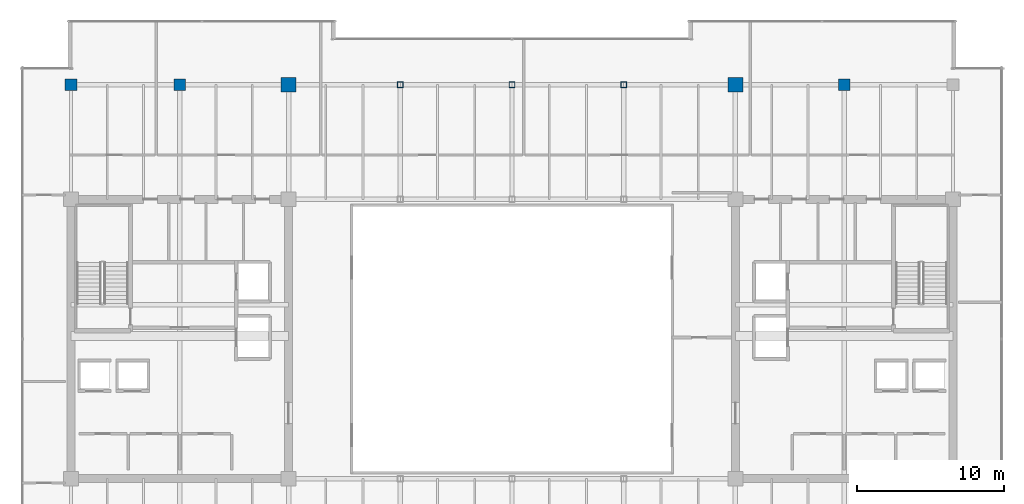
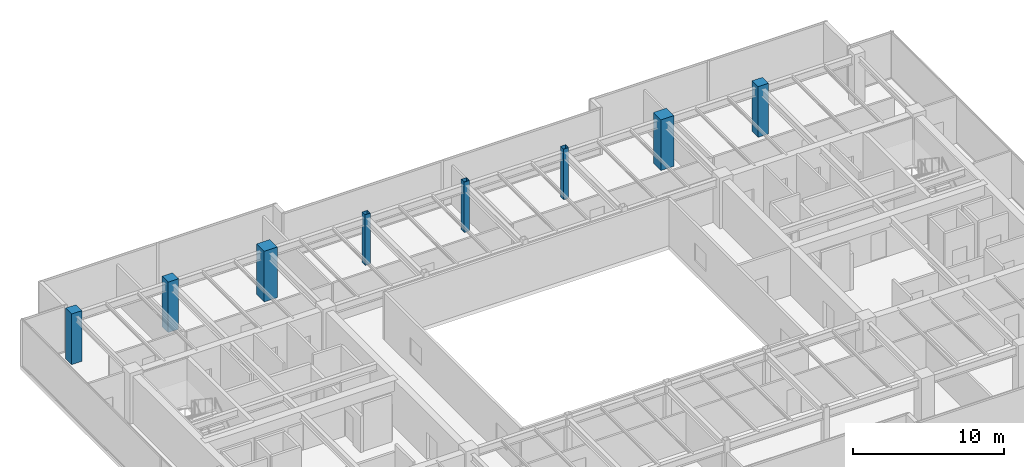
# One storey, part 3 of 33: 8 columns.
"""IFC4 building model written with IfcOpenShell, lengths in metres."""

from ifc_helpers import new_model, si_unit, direction, frame, origin, origin_2d, place, context, subcontext, project, spatial, rectangle, hollow_rectangle, extrude, source, transform, mapped, material, material_profile, profile_set, type_object, type_shapes, element, save


model = new_model("IFC4")

# Units and contexts
model_context = context("Model", 3, precision=1e-05, world=origin(), true_north=direction((0.0, 1.0)))
body_context = subcontext(model_context, "Body", "Model", "MODEL_VIEW")
ifc_project = project(units=[si_unit("LENGTHUNIT", "METRE"), si_unit("AREAUNIT", "SQUARE_METRE"), si_unit("VOLUMEUNIT", "CUBIC_METRE"), si_unit("PLANEANGLEUNIT", "RADIAN"), si_unit("MASSUNIT", "GRAM", prefix="KILO")], contexts=[model_context])

# Site, building, storey
site_placement = place(None, origin())
site = spatial("IfcSite", under=ifc_project, at=site_placement, CompositionType="ELEMENT")
building_placement = place(site_placement, origin())
building = spatial("IfcBuilding", under=site, at=building_placement, Name="Haelvirn Gate Laboratories", CompositionType="ELEMENT")
storey_placement = place(building_placement, frame((0.0, 0.0, 258.800048828125)))
storey = spatial("IfcBuildingStorey", under=building, at=storey_placement, Name="L62", CompositionType="ELEMENT", Elevation=258.800048828125)

# Columns
ifc_material_1 = material(Name="Concrete C60/75", Category="concrete")
ifc_material_profile_1 = material_profile(ifc_material_1, rectangle(XDim=1.0, YDim=1.0, at=origin_2d()), Name="RC-1000x1000")
ifc_profile_set_1 = profile_set([ifc_material_profile_1], Name="Concrete C60/75")
column_type_1 = type_object("IfcColumnType", Name="COL-RC-1000", PredefinedType="COLUMN", material=ifc_profile_set_1)
shared_shape_1 = source(origin(), body_context, "Body", "SweptSolid", [
    extrude(rectangle(XDim=1.0, YDim=1.0, at=origin_2d()), origin(), (0.0, 0.0, 1.0), 4.099853515625),
])
type_shapes(column_type_1, [shared_shape_1])
for number, where, z_axis, x_axis, name in (
    (1, (22.199951171875, 41.60009765625, 0.0), (0.0, 0.0, 1.0), (1.0, 0.0, 0.0), "L62 Column 4G"),
    (2, (52.60009765625, 41.60009765625, 0.0), (0.0, 0.0, 1.0), (1.0, 0.0, 0.0), "L62 Column 8G"),
):
    element("IfcColumn", number, at=place(storey_placement, frame(where, z_axis=z_axis, x_axis=x_axis)), inside=storey, type_object=column_type_1, Name=name, PredefinedType="COLUMN", context=body_context, shape_type="MappedRepresentation", body=[
        mapped(shared_shape_1, transform((0.0, 0.0, 0.0), scale=1.0)),
    ])
ifc_material_2 = material(Name="Concrete C50/60", Category="concrete")
ifc_material_profile_2 = material_profile(ifc_material_2, rectangle(XDim=0.800048828125, YDim=0.800048828125, at=origin_2d()), Name="RC-800x800")
ifc_profile_set_2 = profile_set([ifc_material_profile_2], Name="Concrete C50/60")
column_type_2 = type_object("IfcColumnType", Name="COL-RC-800", PredefinedType="COLUMN", material=ifc_profile_set_2)
shared_shape_2 = source(origin(), body_context, "Body", "SweptSolid", [
    extrude(rectangle(XDim=0.800048828125, YDim=0.800048828125, at=origin_2d()), origin(), (0.0, 0.0, 1.0), 4.099853515625),
])
type_shapes(column_type_2, [shared_shape_2])
for number, where, z_axis, x_axis, name in (
    (3, (14.800048828125, 41.60009765625, 0.0), (0.0, 0.0, 1.0), (1.0, 0.0, 0.0), "L62 Column 3G"),
    (4, (60.0, 41.60009765625, 0.0), (0.0, 0.0, 1.0), (1.0, 0.0, 0.0), "L62 Column 9G"),
    (5, (7.39990234375, 41.60009765625, 0.0), (0.0, 0.0, 1.0), (1.0, 0.0, 0.0), "L62 Column 2G"),
):
    element("IfcColumn", number, at=place(storey_placement, frame(where, z_axis=z_axis, x_axis=x_axis)), inside=storey, type_object=column_type_2, Name=name, PredefinedType="COLUMN", context=body_context, shape_type="MappedRepresentation", body=[
        mapped(shared_shape_2, transform((0.0, 0.0, 0.0), scale=1.0)),
    ])
ifc_material_3 = material(Name="Steel SM355", Category="steel")
ifc_material_profile_3 = material_profile(ifc_material_3, hollow_rectangle(XDim=0.39990234375, YDim=0.39990234375, WallThickness=0.01904296875, at=origin_2d()), Name="BOX-400x400x19")
ifc_profile_set_3 = profile_set([ifc_material_profile_3], Name="Steel SM355")
column_type_3 = type_object("IfcColumnType", Name="COL-BOX-400", PredefinedType="COLUMN", material=ifc_profile_set_3)
shared_shape_3 = source(origin(), body_context, "Body", "SweptSolid", [
    extrude(hollow_rectangle(XDim=0.39990234375, YDim=0.39990234375, WallThickness=0.01904296875, at=origin_2d()), origin(), (0.0, 0.0, 1.0), 4.099853515625),
])
type_shapes(column_type_3, [shared_shape_3])
for number, where, z_axis, x_axis, name in (
    (6, (29.800048828125, 41.60009765625, 0.0), (0.0, 0.0, 1.0), (1.0, 0.0, 0.0), "L62 Column 5G"),
    (7, (37.39990234375, 41.60009765625, 0.0), (0.0, 0.0, 1.0), (1.0, 0.0, 0.0), "L62 Column 6G"),
    (8, (45.0, 41.60009765625, 0.0), (0.0, 0.0, 1.0), (1.0, 0.0, 0.0), "L62 Column 7G"),
):
    element("IfcColumn", number, at=place(storey_placement, frame(where, z_axis=z_axis, x_axis=x_axis)), inside=storey, type_object=column_type_3, Name=name, PredefinedType="COLUMN", context=body_context, shape_type="MappedRepresentation", body=[
        mapped(shared_shape_3, transform((0.0, 0.0, 0.0), scale=1.0)),
    ])

save(model, "model.ifc")
